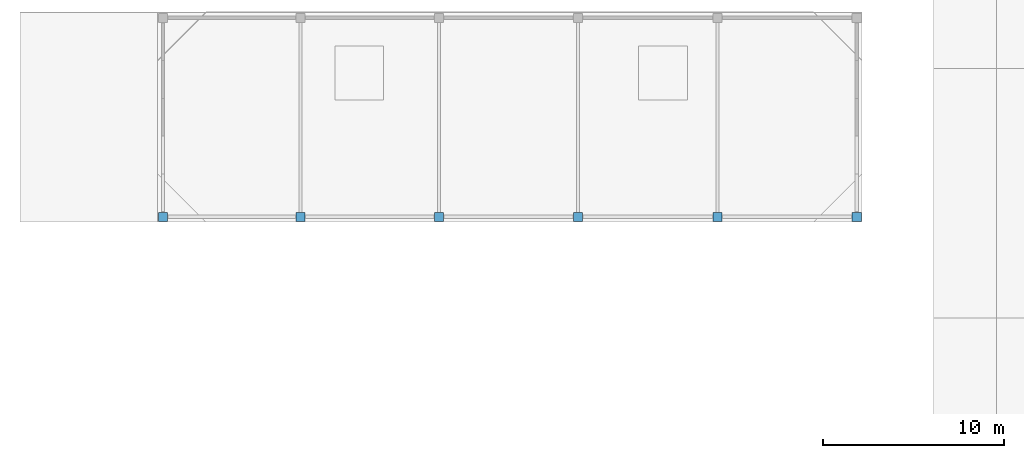
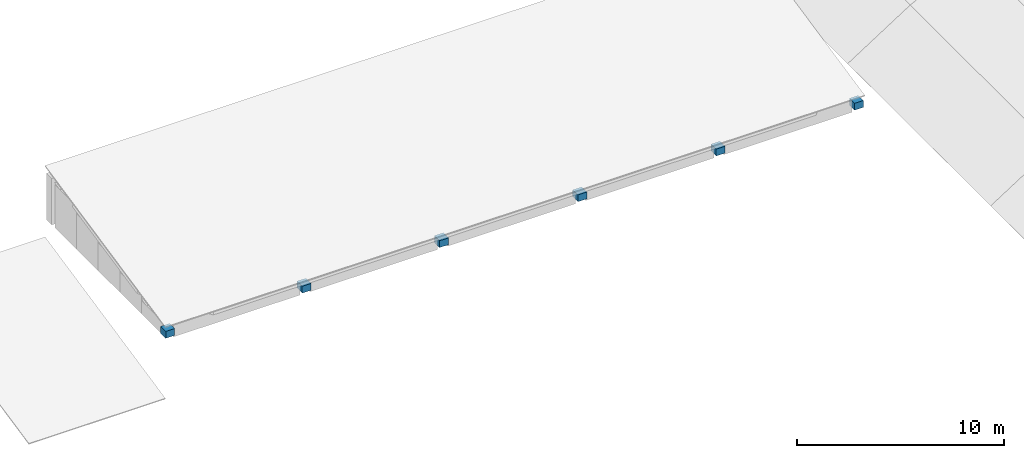
# One storey, part 5 of 19: 6 columns.
"""IFC4 building model written with IfcOpenShell, lengths in metres."""

from ifc_helpers import new_model, si_unit, direction, frame, origin, origin_2d, place, context, subcontext, project, spatial, rectangle, extrude, material, material_profile, profile_set, type_object, element, save


model = new_model("IFC4")

# Units and contexts
model_context = context("Model", 3, precision=1e-05, world=origin(), true_north=direction((0.0, 1.0)))
body_context = subcontext(model_context, "Body", "Model", "MODEL_VIEW")
ifc_project = project(units=[si_unit("LENGTHUNIT", "METRE"), si_unit("AREAUNIT", "SQUARE_METRE"), si_unit("VOLUMEUNIT", "CUBIC_METRE"), si_unit("PLANEANGLEUNIT", "RADIAN"), si_unit("MASSUNIT", "GRAM", prefix="KILO")], contexts=[model_context])

# Site, building, storey
site_placement = place(None, origin())
site = spatial("IfcSite", under=ifc_project, at=site_placement, CompositionType="ELEMENT")
building_placement = place(site_placement, origin())
building = spatial("IfcBuilding", under=site, at=building_placement, Name="Candilejo Ridge Gondola Terminal", CompositionType="ELEMENT")
storey_placement = place(building_placement, frame((0.0, 0.0, 22.800048828125)))
storey = spatial("IfcBuildingStorey", under=building, at=storey_placement, Name="L05", CompositionType="ELEMENT", Elevation=22.800048828125)

# Columns
ifc_material = material(Name="Concrete f'c 35 MPa (C35/45)", Category="concrete")
ifc_material_profile = material_profile(ifc_material, rectangle(XDim=0.5, YDim=0.5, at=origin_2d()))
ifc_profile_set = profile_set([ifc_material_profile], Name="Concrete f'c 35 MPa (C35/45)")
column_type = type_object("IfcColumnType", Name="STR-COL-RC500", PredefinedType="COLUMN", material=ifc_profile_set)
for number, where, z_axis, x_axis, name in (
    (1, (94.60009765625, 25.699951171875, 0.0), (0.0, 0.0, 1.0), (1.0, 0.0, 0.0), "Roof ridge column RF-V3-MAIN-01-S"),
    (2, (102.199951171875, 25.699951171875, 0.0), (0.0, 0.0, 1.0), (1.0, 0.0, 0.0), "Roof ridge column RF-V3-MAIN-02-S"),
    (3, (109.85009765625, 25.699951171875, 0.0), (0.0, 0.0, 1.0), (1.0, 0.0, 0.0), "Roof ridge column RF-V3-MAIN-03-S"),
    (4, (117.550048828125, 25.699951171875, 0.0), (0.0, 0.0, 1.0), (1.0, 0.0, 0.0), "Roof ridge column RF-V3-MAIN-04-S"),
    (5, (125.25, 25.699951171875, 0.0), (0.0, 0.0, 1.0), (1.0, 0.0, 0.0), "Roof ridge column RF-V3-MAIN-05-S"),
    (6, (132.949951171875, 25.699951171875, 0.0), (0.0, 0.0, 1.0), (1.0, 0.0, 0.0), "Roof ridge column RF-V3-MAIN-06-S"),
):
    element("IfcColumn", number, at=place(storey_placement, frame(where, z_axis=z_axis, x_axis=x_axis)), inside=storey, type_object=column_type, Name=name, PredefinedType="COLUMN", context=body_context, shape_type="SweptSolid", body=[
        extrude(rectangle(XDim=0.5, YDim=0.5, at=origin_2d()), origin(), (0.0, 0.0, 1.0), 0.40185546875),
    ])

save(model, "model.ifc")
